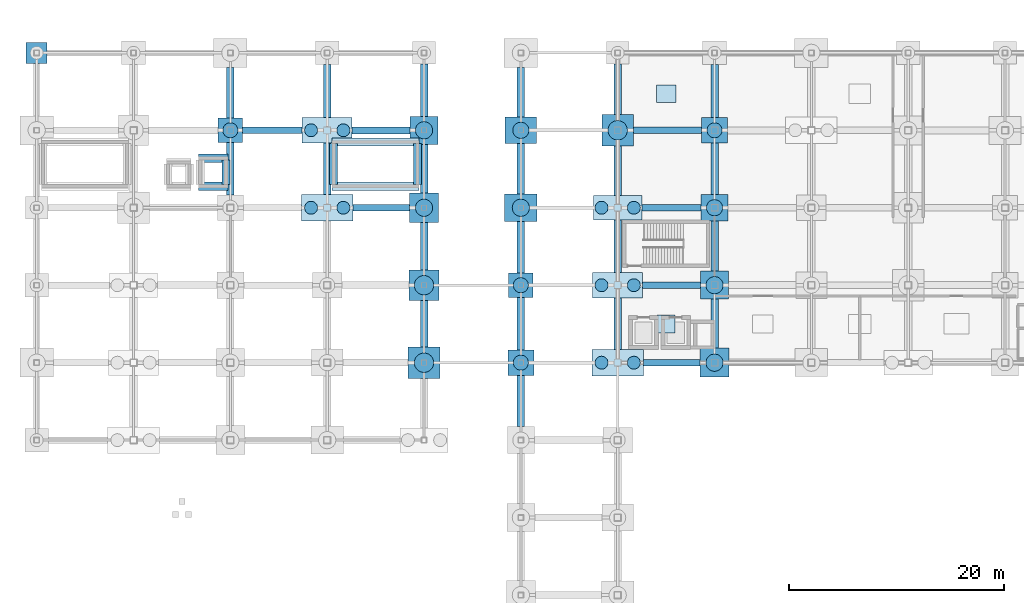
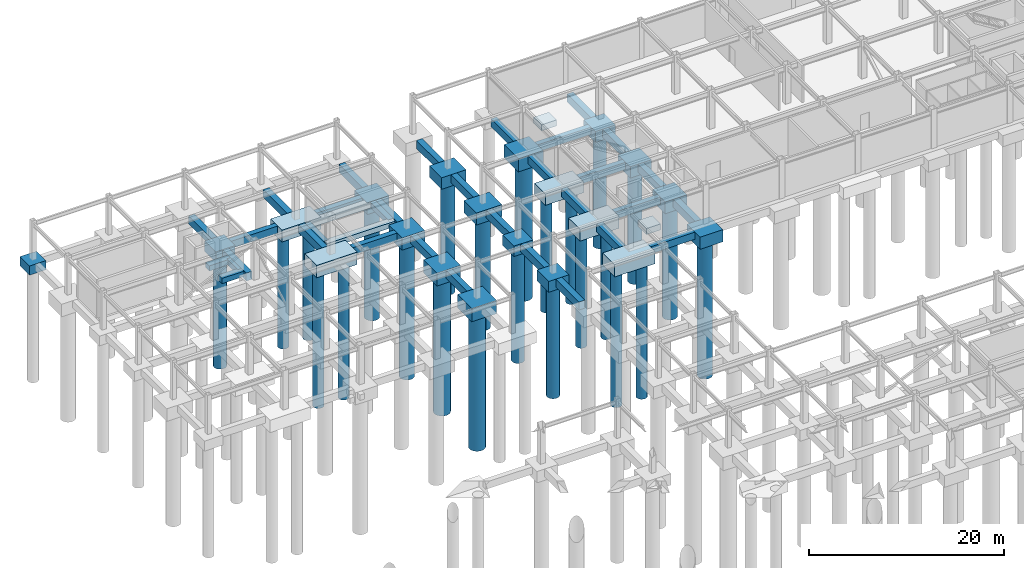
# One storey, part 6 of 28: 57 footings, 24 piles.
"""IFC4 building model written with IfcOpenShell, lengths in metres."""

from ifc_helpers import new_model, si_unit, direction, frame, origin, origin_2d, place, context, subcontext, project, spatial, rectangle, circle, extrude, material, material_profile, profile_set, type_object, element, save


model = new_model("IFC4")

# Units and contexts
model_context = context("Model", 3, precision=1e-05, world=origin(), true_north=direction((0.0, 1.0)))
body_context = subcontext(model_context, "Body", "Model", "MODEL_VIEW")
ifc_project = project(units=[si_unit("LENGTHUNIT", "METRE"), si_unit("AREAUNIT", "SQUARE_METRE"), si_unit("VOLUMEUNIT", "CUBIC_METRE"), si_unit("PLANEANGLEUNIT", "RADIAN"), si_unit("MASSUNIT", "GRAM", prefix="KILO")], contexts=[model_context])

# Site, building, storey
site_placement = place(None, origin())
site = spatial("IfcSite", under=ifc_project, at=site_placement, CompositionType="ELEMENT")
building_placement = place(site_placement, origin())
building = spatial("IfcBuilding", under=site, at=building_placement, Name="Kazanami Central Library", CompositionType="ELEMENT")
storey_placement = place(building_placement, frame((0.0, 0.0, -4.89990234375)))
storey = spatial("IfcBuildingStorey", under=building, at=storey_placement, Name="B01", CompositionType="ELEMENT", Elevation=-4.89990234375)

# Footings
ifc_material_1 = material(Name="Concrete Fc36 (36 MPa)", Category="concrete")
ifc_material_profile_1 = material_profile(ifc_material_1, rectangle(XDim=0.60009765625, YDim=0.89990234375, at=origin_2d()), Name="RC-600x900")
ifc_profile_set_1 = profile_set([ifc_material_profile_1], Name="Concrete Fc36 (36 MPa)")
footing_type_1 = type_object("IfcFootingType", Name="FTG-GB-02", PredefinedType="FOOTING_BEAM", material=ifc_profile_set_1)
footing_1_placement = place(storey_placement, frame((56.39990234375, 64.800048828125, -1.070068359375), z_axis=(1.0, 0.0, 0.0), x_axis=(0.0, 1.0, 0.0)))
element("IfcFooting", 1, at=footing_1_placement, inside=storey, type_object=footing_type_1, Name="Ground Tie Beam GB-02 K/7-8", PredefinedType="FOOTING_BEAM", context=body_context, shape_type="SweptSolid", body=[
    extrude(rectangle(XDim=0.60009765625, YDim=0.89990234375, at=origin_2d()), origin(), (0.0, 0.0, 1.0), 5.25),
])
footing_2_placement = place(storey_placement, frame((56.324951171875, 72.0, -1.070068359375), z_axis=(1.0, 0.0, 0.0), x_axis=(0.0, 1.0, 0.0)))
element("IfcFooting", 2, at=footing_2_placement, inside=storey, type_object=footing_type_1, Name="Ground Tie Beam GB-02 L/7-8", PredefinedType="FOOTING_BEAM", context=body_context, shape_type="SweptSolid", body=[
    extrude(rectangle(XDim=0.60009765625, YDim=0.89990234375, at=origin_2d()), origin(), (0.0, 0.0, 1.0), 5.375),
])
footing_3_placement = place(storey_placement, frame((56.25, 79.199951171875, -1.070068359375), z_axis=(1.0, 0.0, 0.0), x_axis=(0.0, 1.0, 0.0)))
element("IfcFooting", 3, at=footing_3_placement, inside=storey, type_object=footing_type_1, Name="Ground Tie Beam GB-02 M/7-8", PredefinedType="FOOTING_BEAM", context=body_context, shape_type="SweptSolid", body=[
    extrude(rectangle(XDim=0.60009765625, YDim=0.89990234375, at=origin_2d()), origin(), (0.0, 0.0, 1.0), 5.5),
])
footing_4_placement = place(storey_placement, frame((19.14990234375, 86.39990234375, -0.4501953125), z_axis=(1.0, 0.0, 0.0), x_axis=(0.0, 1.0, 0.0)))
element("IfcFooting", 4, at=footing_4_placement, inside=storey, type_object=footing_type_1, Name="Ground Tie Beam GB-02 N/3-4", PredefinedType="FOOTING_BEAM", context=body_context, shape_type="SweptSolid", body=[
    extrude(rectangle(XDim=0.60009765625, YDim=0.89990234375, at=origin_2d()), origin(), (0.0, 0.0, 1.0), 5.525146484375),
])
footing_5_placement = place(storey_placement, frame((55.47509765625, 86.39990234375, -1.070068359375), z_axis=(1.0, 0.0, 0.0), x_axis=(0.0, 1.0, 0.0)))
element("IfcFooting", 5, at=footing_5_placement, inside=storey, type_object=footing_type_1, Name="Ground Tie Beam GB-02 N/7-8", PredefinedType="FOOTING_BEAM", context=body_context, shape_type="SweptSolid", body=[
    extrude(rectangle(XDim=0.60009765625, YDim=0.89990234375, at=origin_2d()), origin(), (0.0, 0.0, 1.0), 6.324951171875),
])
ifc_material_profile_2 = material_profile(ifc_material_1, rectangle(XDim=0.64990234375, YDim=0.949951171875, at=origin_2d()), Name="RC-650x950")
ifc_profile_set_2 = profile_set([ifc_material_profile_2], Name="Concrete Fc36 (36 MPa)")
footing_type_2 = type_object("IfcFootingType", Name="FTG-GB-03", PredefinedType="FOOTING_BEAM", material=ifc_profile_set_2)
footing_6_placement = place(storey_placement, frame((29.39990234375, 79.199951171875, -0.47509765625), z_axis=(1.0, 0.0, 0.0), x_axis=(0.0, 1.0, 0.0)))
element("IfcFooting", 6, at=footing_6_placement, inside=storey, type_object=footing_type_2, Name="Ground Tie Beam GB-03 M/4-5", PredefinedType="FOOTING_BEAM", context=body_context, shape_type="SweptSolid", body=[
    extrude(rectangle(XDim=0.64990234375, YDim=0.949951171875, at=origin_2d()), origin(), (0.0, 0.0, 1.0), 5.25),
])
footing_7_placement = place(storey_placement, frame((29.324951171875, 86.39990234375, -0.47509765625), z_axis=(1.0, 0.0, 0.0), x_axis=(0.0, 1.0, 0.0)))
element("IfcFooting", 7, at=footing_7_placement, inside=storey, type_object=footing_type_2, Name="Ground Tie Beam GB-03 N/4-5", PredefinedType="FOOTING_BEAM", context=body_context, shape_type="SweptSolid", body=[
    extrude(rectangle(XDim=0.64990234375, YDim=0.949951171875, at=origin_2d()), origin(), (0.0, 0.0, 1.0), 5.375),
])
ifc_material_profile_3 = material_profile(ifc_material_1, rectangle(XDim=0.699951171875, YDim=1.0, at=origin_2d()), Name="RC-700x1000")
ifc_profile_set_3 = profile_set([ifc_material_profile_3], Name="Concrete Fc36 (36 MPa)")
footing_type_3 = type_object("IfcFootingType", Name="FTG-GB-04", PredefinedType="FOOTING_BEAM", material=ifc_profile_set_3)
footing_8_placement = place(storey_placement, frame((18.0, 80.39990234375, -0.5), z_axis=(0.0, 1.0, 0.0), x_axis=(-1.0, 0.0, 0.0)))
element("IfcFooting", 8, at=footing_8_placement, inside=storey, type_object=footing_type_3, Name="Ground Tie Beam GB-04 3/M-N", PredefinedType="FOOTING_BEAM", context=body_context, shape_type="SweptSolid", body=[
    extrude(rectangle(XDim=0.699951171875, YDim=1.0, at=origin_2d()), origin(), (0.0, 0.0, 1.0), 4.85009765625),
])
footing_9_placement = place(storey_placement, frame((18.0, 87.550048828125, -0.5), z_axis=(0.0, 1.0, 0.0), x_axis=(-1.0, 0.0, 0.0)))
element("IfcFooting", 9, at=footing_9_placement, inside=storey, type_object=footing_type_3, Name="Ground Tie Beam GB-04 3/N-O", PredefinedType="FOOTING_BEAM", context=body_context, shape_type="SweptSolid", body=[
    extrude(rectangle(XDim=0.699951171875, YDim=1.0, at=origin_2d()), origin(), (0.0, 0.0, 1.0), 4.699951171875),
])
footing_10_placement = place(storey_placement, frame((27.0, 80.425048828125, -0.5), z_axis=(0.0, 1.0, 0.0), x_axis=(-1.0, 0.0, 0.0)))
element("IfcFooting", 10, at=footing_10_placement, inside=storey, type_object=footing_type_3, Name="Ground Tie Beam GB-04 4/M-N", PredefinedType="FOOTING_BEAM", context=body_context, shape_type="SweptSolid", body=[
    extrude(rectangle(XDim=0.699951171875, YDim=1.0, at=origin_2d()), origin(), (0.0, 0.0, 1.0), 4.800048828125),
])
footing_11_placement = place(storey_placement, frame((27.0, 87.574951171875, -0.5), z_axis=(0.0, 1.0, 0.0), x_axis=(-1.0, 0.0, 0.0)))
element("IfcFooting", 11, at=footing_11_placement, inside=storey, type_object=footing_type_3, Name="Ground Tie Beam GB-04 4/N-O", PredefinedType="FOOTING_BEAM", context=body_context, shape_type="SweptSolid", body=[
    extrude(rectangle(XDim=0.699951171875, YDim=1.0, at=origin_2d()), origin(), (0.0, 0.0, 1.0), 4.925048828125),
])
footing_12_placement = place(storey_placement, frame((36.0, 66.27490234375, -0.5), z_axis=(0.0, 1.0, 0.0), x_axis=(-1.0, 0.0, 0.0)))
element("IfcFooting", 12, at=footing_12_placement, inside=storey, type_object=footing_type_3, Name="Ground Tie Beam GB-04 5/K-L", PredefinedType="FOOTING_BEAM", context=body_context, shape_type="SweptSolid", body=[
    extrude(rectangle(XDim=0.699951171875, YDim=1.0, at=origin_2d()), origin(), (0.0, 0.0, 1.0), 4.3251953125),
])
footing_13_placement = place(storey_placement, frame((36.0, 73.39990234375, -0.5), z_axis=(0.0, 1.0, 0.0), x_axis=(-1.0, 0.0, 0.0)))
element("IfcFooting", 13, at=footing_13_placement, inside=storey, type_object=footing_type_3, Name="Ground Tie Beam GB-04 5/L-M", PredefinedType="FOOTING_BEAM", context=body_context, shape_type="SweptSolid", body=[
    extrude(rectangle(XDim=0.699951171875, YDim=1.0, at=origin_2d()), origin(), (0.0, 0.0, 1.0), 4.4501953125),
])
footing_14_placement = place(storey_placement, frame((36.0, 80.550048828125, -0.5), z_axis=(0.0, 1.0, 0.0), x_axis=(-1.0, 0.0, 0.0)))
element("IfcFooting", 14, at=footing_14_placement, inside=storey, type_object=footing_type_3, Name="Ground Tie Beam GB-04 5/M-N", PredefinedType="FOOTING_BEAM", context=body_context, shape_type="SweptSolid", body=[
    extrude(rectangle(XDim=0.699951171875, YDim=1.0, at=origin_2d()), origin(), (0.0, 0.0, 1.0), 4.550048828125),
])
footing_15_placement = place(storey_placement, frame((36.0, 87.699951171875, -0.5), z_axis=(0.0, 1.0, 0.0), x_axis=(-1.0, 0.0, 0.0)))
element("IfcFooting", 15, at=footing_15_placement, inside=storey, type_object=footing_type_3, Name="Ground Tie Beam GB-04 5/N-O", PredefinedType="FOOTING_BEAM", context=body_context, shape_type="SweptSolid", body=[
    extrude(rectangle(XDim=0.699951171875, YDim=1.0, at=origin_2d()), origin(), (0.0, 0.0, 1.0), 4.85009765625),
])
footing_16_placement = place(storey_placement, frame((45.0, 58.85009765625, -0.5), z_axis=(0.0, 1.0, 0.0), x_axis=(-1.0, 0.0, 0.0)))
element("IfcFooting", 16, at=footing_16_placement, inside=storey, type_object=footing_type_3, Name="Ground Tie Beam GB-04 6/J-K", PredefinedType="FOOTING_BEAM", context=body_context, shape_type="SweptSolid", body=[
    extrude(rectangle(XDim=0.699951171875, YDim=1.0, at=origin_2d()), origin(), (0.0, 0.0, 1.0), 4.75),
])
footing_17_placement = place(storey_placement, frame((45.0, 66.0, -0.5), z_axis=(0.0, 1.0, 0.0), x_axis=(-1.0, 0.0, 0.0)))
element("IfcFooting", 17, at=footing_17_placement, inside=storey, type_object=footing_type_3, Name="Ground Tie Beam GB-04 6/K-L", PredefinedType="FOOTING_BEAM", context=body_context, shape_type="SweptSolid", body=[
    extrude(rectangle(XDim=0.699951171875, YDim=1.0, at=origin_2d()), origin(), (0.0, 0.0, 1.0), 4.85009765625),
])
footing_18_placement = place(storey_placement, frame((45.0, 73.14990234375, -0.5), z_axis=(0.0, 1.0, 0.0), x_axis=(-1.0, 0.0, 0.0)))
element("IfcFooting", 18, at=footing_18_placement, inside=storey, type_object=footing_type_3, Name="Ground Tie Beam GB-04 6/L-M", PredefinedType="FOOTING_BEAM", context=body_context, shape_type="SweptSolid", body=[
    extrude(rectangle(XDim=0.699951171875, YDim=1.0, at=origin_2d()), origin(), (0.0, 0.0, 1.0), 4.75),
])
footing_19_placement = place(storey_placement, frame((45.0, 80.5, -0.5), z_axis=(0.0, 1.0, 0.0), x_axis=(-1.0, 0.0, 0.0)))
element("IfcFooting", 19, at=footing_19_placement, inside=storey, type_object=footing_type_3, Name="Ground Tie Beam GB-04 6/M-N", PredefinedType="FOOTING_BEAM", context=body_context, shape_type="SweptSolid", body=[
    extrude(rectangle(XDim=0.699951171875, YDim=1.0, at=origin_2d()), origin(), (0.0, 0.0, 1.0), 4.64990234375),
])
footing_20_placement = place(storey_placement, frame((45.0, 87.64990234375, -0.5), z_axis=(0.0, 1.0, 0.0), x_axis=(-1.0, 0.0, 0.0)))
element("IfcFooting", 20, at=footing_20_placement, inside=storey, type_object=footing_type_3, Name="Ground Tie Beam GB-04 6/N-O", PredefinedType="FOOTING_BEAM", context=body_context, shape_type="SweptSolid", body=[
    extrude(rectangle(XDim=0.699951171875, YDim=1.0, at=origin_2d()), origin(), (0.0, 0.0, 1.0), 4.60009765625),
])
footing_21_placement = place(storey_placement, frame((54.0, 66.02490234375, -1.1201171875), z_axis=(0.0, 1.0, 0.0), x_axis=(-1.0, 0.0, 0.0)))
element("IfcFooting", 21, at=footing_21_placement, inside=storey, type_object=footing_type_3, Name="Ground Tie Beam GB-04 7/K-L", PredefinedType="FOOTING_BEAM", context=body_context, shape_type="SweptSolid", body=[
    extrude(rectangle(XDim=0.699951171875, YDim=1.0, at=origin_2d()), origin(), (0.0, 0.0, 1.0), 4.800048828125),
])
footing_22_placement = place(storey_placement, frame((54.0, 73.175048828125, -1.1201171875), z_axis=(0.0, 1.0, 0.0), x_axis=(-1.0, 0.0, 0.0)))
element("IfcFooting", 22, at=footing_22_placement, inside=storey, type_object=footing_type_3, Name="Ground Tie Beam GB-04 7/L-M", PredefinedType="FOOTING_BEAM", context=body_context, shape_type="SweptSolid", body=[
    extrude(rectangle(XDim=0.699951171875, YDim=1.0, at=origin_2d()), origin(), (0.0, 0.0, 1.0), 4.89990234375),
])
footing_23_placement = place(storey_placement, frame((54.0, 80.324951171875, -1.1201171875), z_axis=(0.0, 1.0, 0.0), x_axis=(-1.0, 0.0, 0.0)))
element("IfcFooting", 23, at=footing_23_placement, inside=storey, type_object=footing_type_3, Name="Ground Tie Beam GB-04 7/M-N", PredefinedType="FOOTING_BEAM", context=body_context, shape_type="SweptSolid", body=[
    extrude(rectangle(XDim=0.699951171875, YDim=1.0, at=origin_2d()), origin(), (0.0, 0.0, 1.0), 4.60009765625),
])
footing_24_placement = place(storey_placement, frame((54.0, 87.875, -1.1201171875), z_axis=(0.0, 1.0, 0.0), x_axis=(-1.0, 0.0, 0.0)))
element("IfcFooting", 24, at=footing_24_placement, inside=storey, type_object=footing_type_3, Name="Ground Tie Beam GB-04 7/N-O", PredefinedType="FOOTING_BEAM", context=body_context, shape_type="SweptSolid", body=[
    extrude(rectangle(XDim=0.699951171875, YDim=1.0, at=origin_2d()), origin(), (0.0, 0.0, 1.0), 4.675048828125),
])
footing_25_placement = place(storey_placement, frame((63.0, 66.14990234375, -1.1201171875), z_axis=(0.0, 1.0, 0.0), x_axis=(-1.0, 0.0, 0.0)))
element("IfcFooting", 25, at=footing_25_placement, inside=storey, type_object=footing_type_3, Name="Ground Tie Beam GB-04 8/K-L", PredefinedType="FOOTING_BEAM", context=body_context, shape_type="SweptSolid", body=[
    extrude(rectangle(XDim=0.699951171875, YDim=1.0, at=origin_2d()), origin(), (0.0, 0.0, 1.0), 4.550048828125),
])
footing_26_placement = place(storey_placement, frame((63.0, 73.300048828125, -1.1201171875), z_axis=(0.0, 1.0, 0.0), x_axis=(-1.0, 0.0, 0.0)))
element("IfcFooting", 26, at=footing_26_placement, inside=storey, type_object=footing_type_3, Name="Ground Tie Beam GB-04 8/L-M", PredefinedType="FOOTING_BEAM", context=body_context, shape_type="SweptSolid", body=[
    extrude(rectangle(XDim=0.699951171875, YDim=1.0, at=origin_2d()), origin(), (0.0, 0.0, 1.0), 4.64990234375),
])
footing_27_placement = place(storey_placement, frame((63.0, 80.449951171875, -1.1201171875), z_axis=(0.0, 1.0, 0.0), x_axis=(-1.0, 0.0, 0.0)))
element("IfcFooting", 27, at=footing_27_placement, inside=storey, type_object=footing_type_3, Name="Ground Tie Beam GB-04 8/M-N", PredefinedType="FOOTING_BEAM", context=body_context, shape_type="SweptSolid", body=[
    extrude(rectangle(XDim=0.699951171875, YDim=1.0, at=origin_2d()), origin(), (0.0, 0.0, 1.0), 4.75),
])
footing_28_placement = place(storey_placement, frame((63.0, 87.60009765625, -1.1201171875), z_axis=(0.0, 1.0, 0.0), x_axis=(-1.0, 0.0, 0.0)))
element("IfcFooting", 28, at=footing_28_placement, inside=storey, type_object=footing_type_3, Name="Ground Tie Beam GB-04 8/N-O", PredefinedType="FOOTING_BEAM", context=body_context, shape_type="SweptSolid", body=[
    extrude(rectangle(XDim=0.699951171875, YDim=1.0, at=origin_2d()), origin(), (0.0, 0.0, 1.0), 4.89990234375),
])
footing_type_4 = type_object("IfcFootingType", Name="FTG-PC-04", PredefinedType="PILE_CAP", material=ifc_material_1)
for number, where, z_axis, x_axis, name in (
    (29, (27.0, 79.199951171875, -1.55029296875), (0.0, 0.0, 1.0), (1.0, 0.0, 0.0), "Pile Cap PC-04 at 4/M"),
    (30, (54.0, 64.800048828125, -2.169921875), (0.0, 0.0, 1.0), (1.0, 0.0, 0.0), "Pile Cap PC-04 at 7/K"),
):
    element("IfcFooting", number, at=place(storey_placement, frame(where, z_axis=z_axis, x_axis=x_axis)), inside=storey, type_object=footing_type_4, Name=name, PredefinedType="PILE_CAP", context=body_context, shape_type="SweptSolid", body=[
        extrude(rectangle(XDim=4.800048828125, YDim=2.449951171875, at=origin_2d()), origin(), (0.0, 0.0, 1.0), 1.550048828125),
    ])
footing_type_5 = type_object("IfcFootingType", Name="FTG-PC-05", PredefinedType="PILE_CAP", material=ifc_material_1)
for number, where, z_axis, x_axis, name in (
    (31, (27.0, 86.39990234375, -1.47998046875), (0.0, 0.0, 1.0), (1.0, 0.0, 0.0), "Pile Cap PC-05 at 4/N"),
    (32, (54.0, 72.0, -2.10009765625), (0.0, 0.0, 1.0), (1.0, 0.0, 0.0), "Pile Cap PC-05 at 7/L"),
):
    element("IfcFooting", number, at=place(storey_placement, frame(where, z_axis=z_axis, x_axis=x_axis)), inside=storey, type_object=footing_type_5, Name=name, PredefinedType="PILE_CAP", context=body_context, shape_type="SweptSolid", body=[
        extrude(rectangle(XDim=4.64990234375, YDim=2.35009765625, at=origin_2d()), origin(), (0.0, 0.0, 1.0), 1.47998046875),
    ])
footing_type_6 = type_object("IfcFootingType", Name="FTG-PC-06", PredefinedType="PILE_CAP", material=ifc_material_1)
footing_29_placement = place(storey_placement, frame((54.0, 79.199951171875, -2.0400390625), z_axis=(0.0, 0.0, 1.0), x_axis=(1.0, 0.0, 0.0)))
element("IfcFooting", 33, at=footing_29_placement, inside=storey, type_object=footing_type_6, Name="Pile Cap PC-06 at 7/M", PredefinedType="PILE_CAP", context=body_context, shape_type="SweptSolid", body=[
    extrude(rectangle(XDim=4.5, YDim=2.25, at=origin_2d()), origin(), (0.0, 0.0, 1.0), 1.419921875),
])
footing_type_7 = type_object("IfcFootingType", Name="FTG-PC-07", PredefinedType="PILE_CAP", material=ifc_material_1)
for number, where, z_axis, x_axis, name in (
    (34, (36.0, 64.800048828125, -1.650146484375), (0.0, 0.0, 1.0), (1.0, 0.0, 0.0), "Pile Cap PC-07 at 5/K"),
    (35, (54.0, 86.39990234375, -2.27001953125), (0.0, 0.0, 1.0), (1.0, 0.0, 0.0), "Pile Cap PC-07 at 7/N"),
):
    element("IfcFooting", number, at=place(storey_placement, frame(where, z_axis=z_axis, x_axis=x_axis)), inside=storey, type_object=footing_type_7, Name=name, PredefinedType="PILE_CAP", context=body_context, shape_type="SweptSolid", body=[
        extrude(rectangle(XDim=2.949951171875, YDim=2.949951171875, at=origin_2d()), origin(), (0.0, 0.0, 1.0), 1.64990234375),
    ])
footing_type_8 = type_object("IfcFootingType", Name="FTG-PC-08", PredefinedType="PILE_CAP", material=ifc_material_1)
footing_30_placement = place(storey_placement, frame((36.0, 72.0, -1.60009765625), z_axis=(0.0, 0.0, 1.0), x_axis=(1.0, 0.0, 0.0)))
element("IfcFooting", 36, at=footing_30_placement, inside=storey, type_object=footing_type_8, Name="Pile Cap PC-08 at 5/L", PredefinedType="PILE_CAP", context=body_context, shape_type="SweptSolid", body=[
    extrude(rectangle(XDim=2.800048828125, YDim=2.800048828125, at=origin_2d()), origin(), (0.0, 0.0, 1.0), 1.60009765625),
])
footing_type_9 = type_object("IfcFootingType", Name="FTG-PC-09", PredefinedType="PILE_CAP", material=ifc_material_1)
for number, where, z_axis, x_axis, name in (
    (37, (36.0, 79.199951171875, -1.52001953125), (0.0, 0.0, 1.0), (1.0, 0.0, 0.0), "Pile Cap PC-09 at 5/M"),
    (38, (63.0, 64.800048828125, -2.14013671875), (0.0, 0.0, 1.0), (1.0, 0.0, 0.0), "Pile Cap PC-09 at 8/K"),
):
    element("IfcFooting", number, at=place(storey_placement, frame(where, z_axis=z_axis, x_axis=x_axis)), inside=storey, type_object=footing_type_9, Name=name, PredefinedType="PILE_CAP", context=body_context, shape_type="SweptSolid", body=[
        extrude(rectangle(XDim=2.699951171875, YDim=2.699951171875, at=origin_2d()), origin(), (0.0, 0.0, 1.0), 1.52001953125),
    ])
footing_type_10 = type_object("IfcFootingType", Name="FTG-PC-10", PredefinedType="PILE_CAP", material=ifc_material_1)
for number, where, z_axis, x_axis, name in (
    (39, (36.0, 86.39990234375, -1.47998046875), (0.0, 0.0, 1.0), (1.0, 0.0, 0.0), "Pile Cap PC-10 at 5/N"),
    (40, (63.0, 72.0, -2.10009765625), (0.0, 0.0, 1.0), (1.0, 0.0, 0.0), "Pile Cap PC-10 at 8/L"),
):
    element("IfcFooting", number, at=place(storey_placement, frame(where, z_axis=z_axis, x_axis=x_axis)), inside=storey, type_object=footing_type_10, Name=name, PredefinedType="PILE_CAP", context=body_context, shape_type="SweptSolid", body=[
        extrude(rectangle(XDim=2.60009765625, YDim=2.60009765625, at=origin_2d()), origin(), (0.0, 0.0, 1.0), 1.47998046875),
    ])
footing_type_11 = type_object("IfcFootingType", Name="FTG-PC-11", PredefinedType="PILE_CAP", material=ifc_material_1)
footing_31_placement = place(storey_placement, frame((63.0, 79.199951171875, -2.0400390625), z_axis=(0.0, 0.0, 1.0), x_axis=(1.0, 0.0, 0.0)))
element("IfcFooting", 41, at=footing_31_placement, inside=storey, type_object=footing_type_11, Name="Pile Cap PC-11 at 8/M", PredefinedType="PILE_CAP", context=body_context, shape_type="SweptSolid", body=[
    extrude(rectangle(XDim=2.5, YDim=2.5, at=origin_2d()), origin(), (0.0, 0.0, 1.0), 1.419921875),
])
footing_type_12 = type_object("IfcFootingType", Name="FTG-PC-12", PredefinedType="PILE_CAP", material=ifc_material_1)
for number, where, z_axis, x_axis, name in (
    (42, (45.0, 64.800048828125, -1.3603515625), (0.0, 0.0, 1.0), (1.0, 0.0, 0.0), "Pile Cap PC-12 at 6/K"),
    (43, (63.0, 86.39990234375, -1.97998046875), (0.0, 0.0, 1.0), (1.0, 0.0, 0.0), "Pile Cap PC-12 at 8/N"),
):
    element("IfcFooting", number, at=place(storey_placement, frame(where, z_axis=z_axis, x_axis=x_axis)), inside=storey, type_object=footing_type_12, Name=name, PredefinedType="PILE_CAP", context=body_context, shape_type="SweptSolid", body=[
        extrude(rectangle(XDim=2.39990234375, YDim=2.39990234375, at=origin_2d()), origin(), (0.0, 0.0, 1.0), 1.360107421875),
    ])
footing_type_13 = type_object("IfcFootingType", Name="FTG-PC-13", PredefinedType="PILE_CAP", material=ifc_material_1)
for number, where, z_axis, x_axis, name in (
    (44, (18.0, 86.39990234375, -1.30029296875), (0.0, 0.0, 1.0), (1.0, 0.0, 0.0), "Pile Cap PC-13 at 3/N"),
    (45, (45.0, 72.0, -1.30029296875), (0.0, 0.0, 1.0), (1.0, 0.0, 0.0), "Pile Cap PC-13 at 6/L"),
):
    element("IfcFooting", number, at=place(storey_placement, frame(where, z_axis=z_axis, x_axis=x_axis)), inside=storey, type_object=footing_type_13, Name=name, PredefinedType="PILE_CAP", context=body_context, shape_type="SweptSolid", body=[
        extrude(rectangle(XDim=2.300048828125, YDim=2.300048828125, at=origin_2d()), origin(), (0.0, 0.0, 1.0), 1.300048828125),
    ])
footing_type_14 = type_object("IfcFootingType", Name="FTG-PC-16", PredefinedType="PILE_CAP", material=ifc_material_1)
footing_32_placement = place(storey_placement, frame((0.0, 93.60009765625, -1.150146484375), z_axis=(0.0, 0.0, 1.0), x_axis=(1.0, 0.0, 0.0)))
element("IfcFooting", 46, at=footing_32_placement, inside=storey, type_object=footing_type_14, Name="Pile Cap PC-16 at 1/O", PredefinedType="PILE_CAP", context=body_context, shape_type="SweptSolid", body=[
    extrude(rectangle(XDim=1.949951171875, YDim=1.949951171875, at=origin_2d()), origin(), (0.0, 0.0, 1.0), 1.14990234375),
])
footing_type_15 = type_object("IfcFootingType", Name="FTG-PC-18", PredefinedType="PILE_CAP", material=ifc_material_1)
footing_33_placement = place(storey_placement, frame((45.0, 79.199951171875, -1.5), z_axis=(0.0, 0.0, 1.0), x_axis=(1.0, 0.0, 0.0)))
element("IfcFooting", 47, at=footing_33_placement, inside=storey, type_object=footing_type_15, Name="Pile Cap PC-18 at 6/M", PredefinedType="PILE_CAP", context=body_context, shape_type="SweptSolid", body=[
    extrude(rectangle(XDim=3.0, YDim=2.60009765625, at=origin_2d()), origin(), (0.0, 0.0, 1.0), 1.5),
])
footing_type_16 = type_object("IfcFootingType", Name="FTG-PC-19", PredefinedType="PILE_CAP", material=ifc_material_1)
footing_34_placement = place(storey_placement, frame((45.0, 86.39990234375, -1.440185546875), z_axis=(0.0, 0.0, 1.0), x_axis=(1.0, 0.0, 0.0)))
element("IfcFooting", 48, at=footing_34_placement, inside=storey, type_object=footing_type_16, Name="Pile Cap PC-19 at 6/N", PredefinedType="PILE_CAP", context=body_context, shape_type="SweptSolid", body=[
    extrude(rectangle(XDim=2.89990234375, YDim=2.5, at=origin_2d()), origin(), (0.0, 0.0, 1.0), 1.43994140625),
])
ifc_material_2 = material(Name="Concrete Fc30 (30 MPa)", Category="concrete")
footing_type_17 = type_object("IfcFootingType", Name="FTG-PF-01", PredefinedType="PAD_FOOTING", material=ifc_material_2)
footing_35_placement = place(storey_placement, frame((58.5, 68.39990234375, -1.3701171875), z_axis=(0.0, 0.0, 1.0), x_axis=(1.0, 0.0, 0.0)))
element("IfcFooting", 49, at=footing_35_placement, inside=storey, type_object=footing_type_17, Name="Equipment Pad Footing PF-01", PredefinedType="PAD_FOOTING", context=body_context, shape_type="SweptSolid", body=[
    extrude(rectangle(XDim=1.699951171875, YDim=1.699951171875, at=origin_2d()), origin(), (0.0, 0.0, 1.0), 0.75),
])
footing_type_18 = type_object("IfcFootingType", Name="FTG-PF-05", PredefinedType="PAD_FOOTING", material=ifc_material_2)
footing_36_placement = place(storey_placement, frame((58.5, 89.800048828125, -1.3701171875), z_axis=(0.0, 0.0, 1.0), x_axis=(1.0, 0.0, 0.0)))
element("IfcFooting", 50, at=footing_36_placement, inside=storey, type_object=footing_type_18, Name="Equipment Pad Footing PF-05", PredefinedType="PAD_FOOTING", context=body_context, shape_type="SweptSolid", body=[
    extrude(rectangle(XDim=1.800048828125, YDim=1.60009765625, at=origin_2d()), origin(), (0.0, 0.0, 1.0), 0.75),
])
ifc_material_profile_4 = material_profile(ifc_material_1, rectangle(XDim=0.75, YDim=0.64990234375, at=origin_2d()), Name="RC-750x650")
ifc_profile_set_4 = profile_set([ifc_material_profile_4], Name="Concrete Fc36 (36 MPa)")
footing_type_19 = type_object("IfcFootingType", Name="FTG-SF-750", PredefinedType="STRIP_FOOTING", material=ifc_profile_set_4)
for number, where, z_axis, x_axis, name in (
    (51, (27.449951171875, 81.199951171875, -0.3251953125), (1.0, 0.0, 0.0), (0.0, 1.0, 0.0), "Stair Core Strip Footing ST-06 S"),
    (52, (27.449951171875, 85.300048828125, -0.3251953125), (1.0, 0.0, 0.0), (0.0, 1.0, 0.0), "Stair Core Strip Footing ST-06 N"),
):
    element("IfcFooting", number, at=place(storey_placement, frame(where, z_axis=z_axis, x_axis=x_axis)), inside=storey, type_object=footing_type_19, Name=name, PredefinedType="STRIP_FOOTING", context=body_context, shape_type="SweptSolid", body=[
        extrude(rectangle(XDim=0.75, YDim=0.64990234375, at=origin_2d()), origin(), (0.0, 0.0, 1.0), 8.10009765625),
    ])
for number, where, z_axis, x_axis, name in (
    (53, (27.60009765625, 81.35009765625, -0.3251953125), (0.0, 1.0, 0.0), (-1.0, 0.0, 0.0), "Stair Core Strip Footing ST-06 W"),
    (54, (35.39990234375, 81.35009765625, -0.3251953125), (0.0, 1.0, 0.0), (-1.0, 0.0, 0.0), "Stair Core Strip Footing ST-06 E"),
):
    element("IfcFooting", number, at=place(storey_placement, frame(where, z_axis=z_axis, x_axis=x_axis)), inside=storey, type_object=footing_type_19, Name=name, PredefinedType="STRIP_FOOTING", context=body_context, shape_type="SweptSolid", body=[
        extrude(rectangle(XDim=0.75, YDim=0.64990234375, at=origin_2d()), origin(), (0.0, 0.0, 1.0), 3.7998046875),
    ])
for number, where, z_axis, x_axis, name in (
    (55, (15.02490234375, 81.199951171875, -0.3251953125), (1.0, 0.0, 0.0), (0.0, 1.0, 0.0), "Lift Pit Strip Footing EL-P4 S"),
    (56, (15.02490234375, 83.800048828125, -0.3251953125), (1.0, 0.0, 0.0), (0.0, 1.0, 0.0), "Lift Pit Strip Footing EL-P4 N"),
):
    element("IfcFooting", number, at=place(storey_placement, frame(where, z_axis=z_axis, x_axis=x_axis)), inside=storey, type_object=footing_type_19, Name=name, PredefinedType="STRIP_FOOTING", context=body_context, shape_type="SweptSolid", body=[
        extrude(rectangle(XDim=0.75, YDim=0.64990234375, at=origin_2d()), origin(), (0.0, 0.0, 1.0), 2.75),
    ])
footing_37_placement = place(storey_placement, frame((17.60009765625, 81.375, -0.3251953125), z_axis=(0.0, 1.0, 0.0), x_axis=(-1.0, 0.0, 0.0)))
element("IfcFooting", 57, at=footing_37_placement, inside=storey, type_object=footing_type_19, Name="Lift Pit Strip Footing EL-P4 E", PredefinedType="STRIP_FOOTING", context=body_context, shape_type="SweptSolid", body=[
    extrude(rectangle(XDim=0.75, YDim=0.64990234375, at=origin_2d()), origin(), (0.0, 0.0, 1.0), 2.25),
])

# Piles
ifc_material_profile_5 = material_profile(ifc_material_1, circle(Radius=0.60009765625, at=origin_2d()), Name="BORED-D1200")
ifc_profile_set_5 = profile_set([ifc_material_profile_5], Name="Concrete Fc36 (36 MPa)")
pile_type_1 = type_object("IfcPileType", Name="PIL-PL-12", PredefinedType="BORED", material=ifc_profile_set_5)
for number, where, z_axis, x_axis, name in (
    (58, (25.5, 79.199951171875, -1.550048828125), (0.0, 0.0, -1.0), (1.0, 0.0, 0.0), "Bored Pile PL-12 4/M-1"),
    (59, (28.5, 79.199951171875, -1.550048828125), (0.0, 0.0, -1.0), (1.0, 0.0, 0.0), "Bored Pile PL-12 4/M-2"),
):
    element("IfcPile", number, at=place(storey_placement, frame(where, z_axis=z_axis, x_axis=x_axis)), inside=storey, type_object=pile_type_1, Name=name, PredefinedType="BORED", context=body_context, shape_type="SweptSolid", body=[
        extrude(circle(Radius=0.60009765625, at=origin_2d()), origin(), (0.0, 0.0, 1.0), 17.0),
    ])
for number, where, z_axis, x_axis, name in (
    (60, (25.5, 86.39990234375, -1.47998046875), (0.0, 0.0, -1.0), (1.0, 0.0, 0.0), "Bored Pile PL-12 4/N-1"),
    (61, (28.5, 86.39990234375, -1.47998046875), (0.0, 0.0, -1.0), (1.0, 0.0, 0.0), "Bored Pile PL-12 4/N-2"),
):
    element("IfcPile", number, at=place(storey_placement, frame(where, z_axis=z_axis, x_axis=x_axis)), inside=storey, type_object=pile_type_1, Name=name, PredefinedType="BORED", context=body_context, shape_type="SweptSolid", body=[
        extrude(circle(Radius=0.60009765625, at=origin_2d()), origin(), (0.0, 0.0, 1.0), 14.0),
    ])
for number, where, z_axis, x_axis, name in (
    (62, (52.5, 64.800048828125, -2.170166015625), (0.0, 0.0, -1.0), (1.0, 0.0, 0.0), "Bored Pile PL-12 7/K-1"),
    (63, (55.5, 64.800048828125, -2.170166015625), (0.0, 0.0, -1.0), (1.0, 0.0, 0.0), "Bored Pile PL-12 7/K-2"),
):
    element("IfcPile", number, at=place(storey_placement, frame(where, z_axis=z_axis, x_axis=x_axis)), inside=storey, type_object=pile_type_1, Name=name, PredefinedType="BORED", context=body_context, shape_type="SweptSolid", body=[
        extrude(circle(Radius=0.60009765625, at=origin_2d()), origin(), (0.0, 0.0, 1.0), 17.0),
    ])
for number, where, z_axis, x_axis, name in (
    (64, (52.5, 72.0, -2.10009765625), (0.0, 0.0, -1.0), (1.0, 0.0, 0.0), "Bored Pile PL-12 7/L-1"),
    (65, (55.5, 72.0, -2.10009765625), (0.0, 0.0, -1.0), (1.0, 0.0, 0.0), "Bored Pile PL-12 7/L-2"),
    (66, (52.5, 79.199951171875, -2.0400390625), (0.0, 0.0, -1.0), (1.0, 0.0, 0.0), "Bored Pile PL-12 7/M-1"),
    (67, (55.5, 79.199951171875, -2.0400390625), (0.0, 0.0, -1.0), (1.0, 0.0, 0.0), "Bored Pile PL-12 7/M-2"),
):
    element("IfcPile", number, at=place(storey_placement, frame(where, z_axis=z_axis, x_axis=x_axis)), inside=storey, type_object=pile_type_1, Name=name, PredefinedType="BORED", context=body_context, shape_type="SweptSolid", body=[
        extrude(circle(Radius=0.60009765625, at=origin_2d()), origin(), (0.0, 0.0, 1.0), 14.0),
    ])
ifc_material_profile_6 = material_profile(ifc_material_1, circle(Radius=0.699951171875, at=origin_2d()), Name="BORED-D1400")
ifc_profile_set_6 = profile_set([ifc_material_profile_6], Name="Concrete Fc36 (36 MPa)")
pile_type_2 = type_object("IfcPileType", Name="PIL-PL-14", PredefinedType="BORED", material=ifc_profile_set_6)
for number, where, z_axis, x_axis, name in (
    (68, (18.0, 86.39990234375, -1.300048828125), (0.0, 0.0, -1.0), (1.0, 0.0, 0.0), "Bored Pile PL-14 3/N-1"),
    (69, (45.0, 64.800048828125, -1.360107421875), (0.0, 0.0, -1.0), (1.0, 0.0, 0.0), "Bored Pile PL-14 6/K-1"),
    (70, (45.0, 72.0, -1.300048828125), (0.0, 0.0, -1.0), (1.0, 0.0, 0.0), "Bored Pile PL-14 6/L-1"),
    (71, (63.0, 86.39990234375, -1.97998046875), (0.0, 0.0, -1.0), (1.0, 0.0, 0.0), "Bored Pile PL-14 8/N-1"),
):
    element("IfcPile", number, at=place(storey_placement, frame(where, z_axis=z_axis, x_axis=x_axis)), inside=storey, type_object=pile_type_2, Name=name, PredefinedType="BORED", context=body_context, shape_type="SweptSolid", body=[
        extrude(circle(Radius=0.699951171875, at=origin_2d()), origin(), (0.0, 0.0, 1.0), 14.0),
    ])
ifc_material_profile_7 = material_profile(ifc_material_1, circle(Radius=0.75, at=origin_2d()), Name="BORED-D1500")
ifc_profile_set_7 = profile_set([ifc_material_profile_7], Name="Concrete Fc36 (36 MPa)")
pile_type_3 = type_object("IfcPileType", Name="PIL-PL-15", PredefinedType="BORED", material=ifc_profile_set_7)
for number, where, z_axis, x_axis, name in (
    (72, (45.0, 86.39990234375, -1.440185546875), (0.0, 0.0, -1.0), (1.0, 0.0, 0.0), "Bored Pile PL-15 6/N-1"),
    (73, (63.0, 79.199951171875, -2.0400390625), (0.0, 0.0, -1.0), (1.0, 0.0, 0.0), "Bored Pile PL-15 8/M-1"),
):
    element("IfcPile", number, at=place(storey_placement, frame(where, z_axis=z_axis, x_axis=x_axis)), inside=storey, type_object=pile_type_3, Name=name, PredefinedType="BORED", context=body_context, shape_type="SweptSolid", body=[
        extrude(circle(Radius=0.75, at=origin_2d()), origin(), (0.0, 0.0, 1.0), 14.0),
    ])
ifc_material_profile_8 = material_profile(ifc_material_1, circle(Radius=0.800048828125, at=origin_2d()), Name="BORED-D1600")
ifc_profile_set_8 = profile_set([ifc_material_profile_8], Name="Concrete Fc36 (36 MPa)")
pile_type_4 = type_object("IfcPileType", Name="PIL-PL-16", PredefinedType="BORED", material=ifc_profile_set_8)
pile_1_placement = place(storey_placement, frame((36.0, 79.199951171875, -1.52001953125), z_axis=(0.0, 0.0, -1.0), x_axis=(1.0, 0.0, 0.0)))
element("IfcPile", 74, at=pile_1_placement, inside=storey, type_object=pile_type_4, Name="Bored Pile PL-16 5/M-1", PredefinedType="BORED", context=body_context, shape_type="SweptSolid", body=[
    extrude(circle(Radius=0.800048828125, at=origin_2d()), origin(), (0.0, 0.0, 1.0), 17.0),
])
for number, where, z_axis, x_axis, name in (
    (75, (36.0, 86.39990234375, -1.47998046875), (0.0, 0.0, -1.0), (1.0, 0.0, 0.0), "Bored Pile PL-16 5/N-1"),
    (76, (45.0, 79.199951171875, -1.5), (0.0, 0.0, -1.0), (1.0, 0.0, 0.0), "Bored Pile PL-16 6/M-1"),
):
    element("IfcPile", number, at=place(storey_placement, frame(where, z_axis=z_axis, x_axis=x_axis)), inside=storey, type_object=pile_type_4, Name=name, PredefinedType="BORED", context=body_context, shape_type="SweptSolid", body=[
        extrude(circle(Radius=0.800048828125, at=origin_2d()), origin(), (0.0, 0.0, 1.0), 14.0),
    ])
pile_2_placement = place(storey_placement, frame((63.0, 64.800048828125, -2.14013671875), z_axis=(0.0, 0.0, -1.0), x_axis=(1.0, 0.0, 0.0)))
element("IfcPile", 77, at=pile_2_placement, inside=storey, type_object=pile_type_4, Name="Bored Pile PL-16 8/K-1", PredefinedType="BORED", context=body_context, shape_type="SweptSolid", body=[
    extrude(circle(Radius=0.800048828125, at=origin_2d()), origin(), (0.0, 0.0, 1.0), 17.0),
])
pile_3_placement = place(storey_placement, frame((63.0, 72.0, -2.10009765625), z_axis=(0.0, 0.0, -1.0), x_axis=(1.0, 0.0, 0.0)))
element("IfcPile", 78, at=pile_3_placement, inside=storey, type_object=pile_type_4, Name="Bored Pile PL-16 8/L-1", PredefinedType="BORED", context=body_context, shape_type="SweptSolid", body=[
    extrude(circle(Radius=0.800048828125, at=origin_2d()), origin(), (0.0, 0.0, 1.0), 14.0),
])
ifc_material_profile_9 = material_profile(ifc_material_1, circle(Radius=0.89990234375, at=origin_2d()), Name="BORED-D1800")
ifc_profile_set_9 = profile_set([ifc_material_profile_9], Name="Concrete Fc36 (36 MPa)")
pile_type_5 = type_object("IfcPileType", Name="PIL-PL-18", PredefinedType="BORED", material=ifc_profile_set_9)
for number, where, z_axis, x_axis, name in (
    (79, (36.0, 64.800048828125, -1.650146484375), (0.0, 0.0, -1.0), (1.0, 0.0, 0.0), "Bored Pile PL-18 5/K-1"),
    (80, (36.0, 72.0, -1.60009765625), (0.0, 0.0, -1.0), (1.0, 0.0, 0.0), "Bored Pile PL-18 5/L-1"),
    (81, (54.0, 86.39990234375, -2.27001953125), (0.0, 0.0, -1.0), (1.0, 0.0, 0.0), "Bored Pile PL-18 7/N-1"),
):
    element("IfcPile", number, at=place(storey_placement, frame(where, z_axis=z_axis, x_axis=x_axis)), inside=storey, type_object=pile_type_5, Name=name, PredefinedType="BORED", context=body_context, shape_type="SweptSolid", body=[
        extrude(circle(Radius=0.89990234375, at=origin_2d()), origin(), (0.0, 0.0, 1.0), 17.0),
    ])

save(model, "model.ifc")
